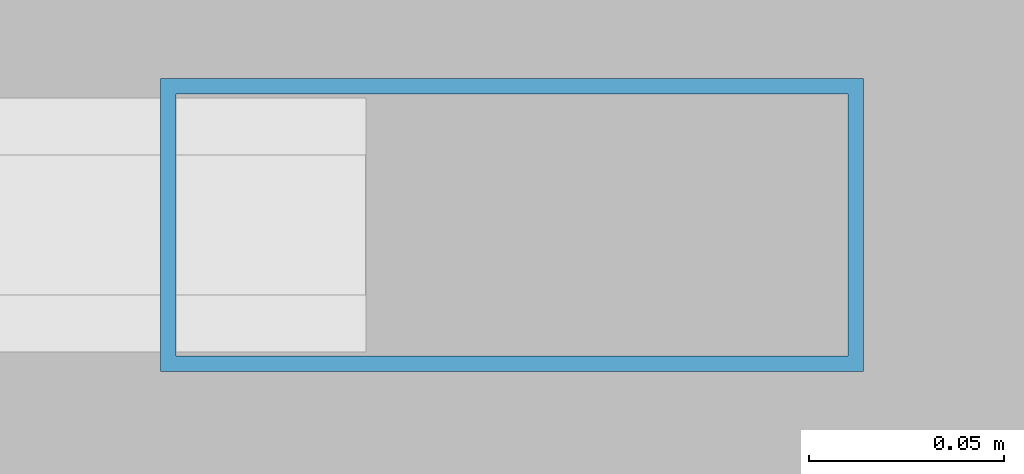
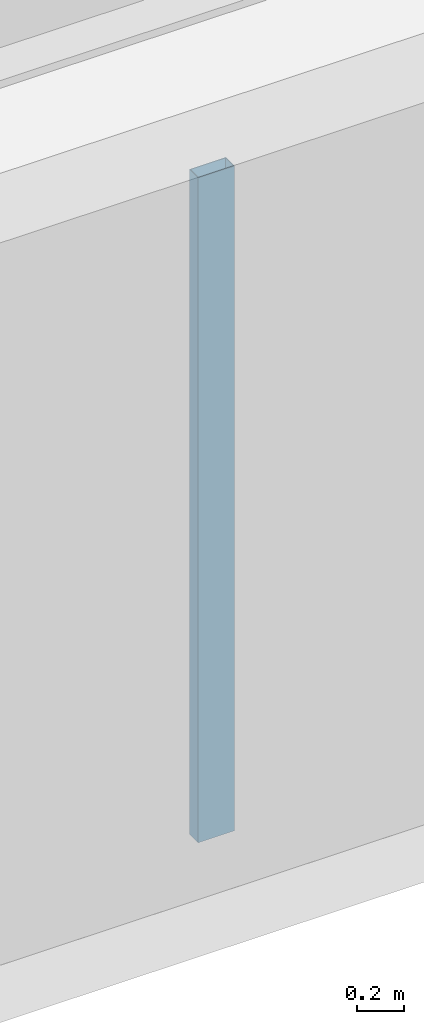
# One storey, part 6 of 25: 1 member, 1 element without a shape of its own.
"""IFC4 building model written with IfcOpenShell, lengths in metres."""

from ifc_helpers import new_model, si_unit, direction, frame, origin, origin_2d, place, context, subcontext, project, spatial, hollow_rectangle, extrude, material, layer, layer_set, material_profile, profile_set, type_object, element, aggregate, save


model = new_model("IFC4")

# Units and contexts
model_context = context("Model", 3, precision=1e-05, world=origin(), true_north=direction((0.0, 1.0)))
body_context = subcontext(model_context, "Body", "Model", "MODEL_VIEW")
ifc_project = project(units=[si_unit("LENGTHUNIT", "METRE"), si_unit("AREAUNIT", "SQUARE_METRE"), si_unit("VOLUMEUNIT", "CUBIC_METRE"), si_unit("PLANEANGLEUNIT", "RADIAN"), si_unit("MASSUNIT", "GRAM", prefix="KILO")], contexts=[model_context])

# Site, building, storey
site_placement = place(None, origin())
site = spatial("IfcSite", under=ifc_project, at=site_placement, CompositionType="ELEMENT")
building_placement = place(site_placement, origin())
building = spatial("IfcBuilding", under=site, at=building_placement, Name="Qiaolan Cultural Towers", CompositionType="ELEMENT")
storey_placement = place(building_placement, frame((0.0, 0.0, 22.0)))
storey = spatial("IfcBuildingStorey", under=building, at=storey_placement, Name="L04", CompositionType="ELEMENT", Elevation=22.0)

# Curtain wall, member
ifc_material_1 = material(Name="Unitized Anodized Aluminium Curtain Wall System", Category="aluminium")
ifc_layer = layer(ifc_material_1, 0.199951171875)
ifc_layer_set = layer_set([ifc_layer], Name="Unitized Anodized Aluminium Curtain Wall System")
curtain_wall_type = type_object("IfcCurtainWallType", Name="CWS-01", PredefinedType="NOTDEFINED", material=ifc_layer_set)
curtain_wall_placement = place(storey_placement, origin())
curtain_wall = element("IfcCurtainWall", 1, at=curtain_wall_placement, inside=storey, type_object=curtain_wall_type, Name="L04 South Atrium Curtain Wall", PredefinedType="NOTDEFINED")
ifc_material_2 = material(Name="Extruded Aluminium 6063-T6", Category="aluminium")
ifc_material_profile = material_profile(ifc_material_2, hollow_rectangle(XDim=0.074951171875, YDim=0.179931640625, WallThickness=0.00390625, at=origin_2d()), Name="CWM-180x75x4")
ifc_profile_set = profile_set([ifc_material_profile], Name="Extruded Aluminium 6063-T6")
member_type = type_object("IfcMemberType", Name="CWS-01-MUL", PredefinedType="MULLION", material=ifc_profile_set)
member_placement = place(storey_placement, frame((61.96240234375, 0.219970703125, 0.14990234375), z_axis=(0.0, 0.0, 1.0), x_axis=(0.0, 1.0, 0.0)))
member = element("IfcMember", 2, at=member_placement, type_object=member_type, Name="CW-1 mullion 5", PredefinedType="MULLION", context=body_context, shape_type="SweptSolid", body=[
    extrude(hollow_rectangle(XDim=0.074951171875, YDim=0.179931640625, WallThickness=0.00390625, at=origin_2d()), origin(), (0.0, 0.0, 1.0), 3.47998046875),
])
aggregate(curtain_wall, [member])

save(model, "model.ifc")
